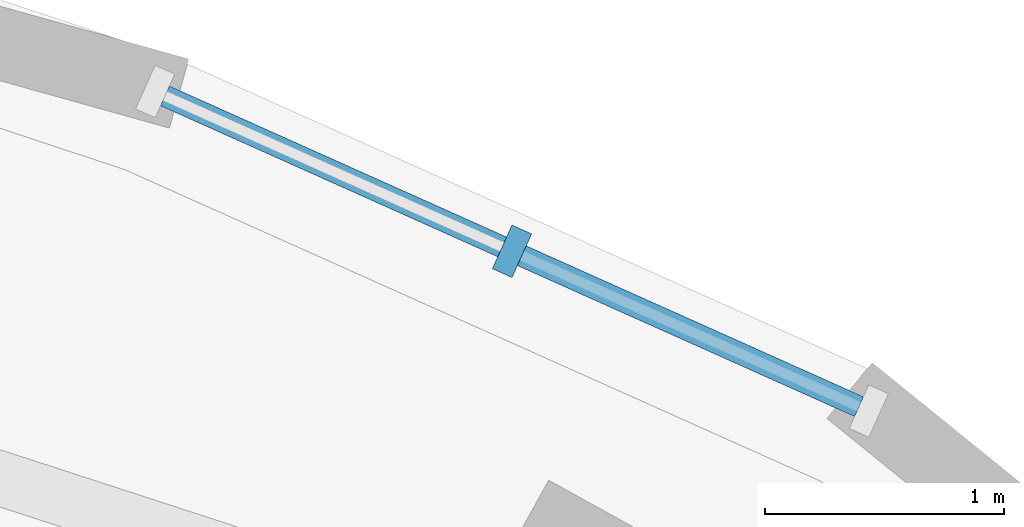
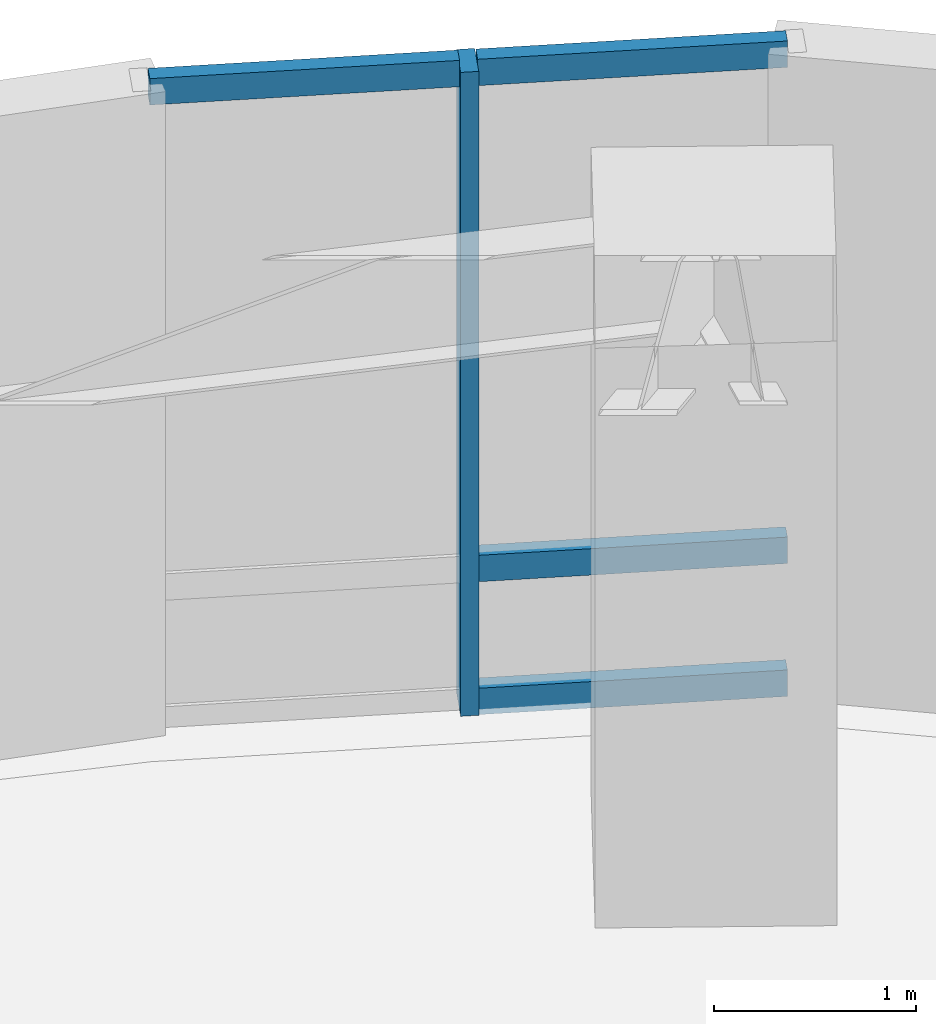
# One storey, part 6 of 14: 5 members, 1 element without a shape of its own.
"""IFC4 building model written with IfcOpenShell, lengths in metres."""

from ifc_helpers import new_model, si_unit, direction, frame, origin, origin_2d, place, context, subcontext, project, spatial, rectangle, extrude, material, layer, layer_set, material_profile, profile_set, type_object, element, aggregate, save


model = new_model("IFC4")

# Units and contexts
model_context = context("Model", 3, precision=1e-05, world=origin(), true_north=direction((0.0, 1.0)))
body_context = subcontext(model_context, "Body", "Model", "MODEL_VIEW")
ifc_project = project(units=[si_unit("LENGTHUNIT", "METRE"), si_unit("AREAUNIT", "SQUARE_METRE"), si_unit("VOLUMEUNIT", "CUBIC_METRE"), si_unit("PLANEANGLEUNIT", "RADIAN"), si_unit("MASSUNIT", "GRAM", prefix="KILO")], contexts=[model_context])

# Site, building, storey
site_placement = place(None, origin())
site = spatial("IfcSite", under=ifc_project, at=site_placement, CompositionType="ELEMENT")
building_placement = place(site_placement, origin())
building = spatial("IfcBuilding", under=site, at=building_placement, Name="Korentha Bioscience Tower", CompositionType="ELEMENT")
storey_placement = place(building_placement, frame((0.0, 0.0, 119.39990234375)))
storey = spatial("IfcBuildingStorey", under=building, at=storey_placement, Name="L27", CompositionType="ELEMENT", Elevation=119.39990234375)

# Curtain wall, members
ifc_material_1 = material(Name="Thermally Broken Aluminium Frame", Category="aluminium")
ifc_layer = layer(ifc_material_1, 0.219970703125, Name="Thermally Broken Aluminium Frame")
ifc_layer_set = layer_set([ifc_layer], Name="Thermally Broken Aluminium Frame (CW-T1)")
curtain_wall_type = type_object("IfcCurtainWallType", Name="Standard Bioscience Lab Unitised Curtain Wall CW-T1", PredefinedType="USERDEFINED", material=ifc_layer_set)
curtain_wall_placement = place(storey_placement, origin())
curtain_wall = element("IfcCurtainWall", 1, at=curtain_wall_placement, inside=storey, type_object=curtain_wall_type, Name="L27 Curtain Wall 01", ObjectType="UNITISED", PredefinedType="USERDEFINED")
ifc_material_2 = material(Name="Anodised Aluminium 6063-T6", Category="aluminium")
ifc_material_profile_1 = material_profile(ifc_material_2, rectangle(XDim=0.090087890625, YDim=0.199951171875, at=origin_2d()), Name="Anodised Aluminium 6063-T6")
ifc_profile_set_1 = profile_set([ifc_material_profile_1], Name="Anodised Aluminium 6063-T6 (CW-MUL)")
member_type_1 = type_object("IfcMemberType", Name="Mullion RECT 90x200", PredefinedType="MULLION", material=ifc_profile_set_1)
member_1_placement = place(storey_placement, frame((48.871337890625, 45.72021484375, 0.0), z_axis=(0.0, 0.0, 1.0), x_axis=(-0.912686563127, 0.408660295952, 0.0)))
member_1 = element("IfcMember", 2, at=member_1_placement, type_object=member_type_1, Name="CW-L27-01 Mullion 2", PredefinedType="MULLION", context=body_context, shape_type="SweptSolid", body=[
    extrude(rectangle(XDim=0.090087890625, YDim=0.199951171875, at=origin_2d()), origin(), (0.0, 0.0, 1.0), 3.900146484375),
])
ifc_material_profile_2 = material_profile(ifc_material_2, rectangle(XDim=0.090087890625, YDim=0.159912109375, at=origin_2d()), Name="Anodised Aluminium 6063-T6")
ifc_profile_set_2 = profile_set([ifc_material_profile_2], Name="Anodised Aluminium 6063-T6 (CW-TRN)")
member_type_2 = type_object("IfcMemberType", Name="Transom RECT 90x160", PredefinedType="USERDEFINED", material=ifc_profile_set_2)
member_2_placement = place(storey_placement, frame((50.322998046875, 45.0703125, 0.045166015625), z_axis=(-0.912753156119, 0.408511537162, 0.0), x_axis=(-0.408511537162, -0.912753156119, 0.0)))
member_2 = element("IfcMember", 3, at=member_2_placement, type_object=member_type_2, Name="CW-L27-01 Bay 1 Transom 1", ObjectType="TRANSOM", PredefinedType="USERDEFINED", context=body_context, shape_type="SweptSolid", body=[
    extrude(rectangle(XDim=0.090087890625, YDim=0.159912109375, at=origin_2d()), origin(), (0.0, 0.0, 1.0), 1.54541015625),
])
member_3_placement = place(storey_placement, frame((50.322998046875, 45.0703125, 0.85009765625), z_axis=(-0.912753156119, 0.408511537162, 0.0), x_axis=(-0.408511537162, -0.912753156119, 0.0)))
member_3 = element("IfcMember", 4, at=member_3_placement, type_object=member_type_2, Name="CW-L27-01 Bay 1 Transom 2", ObjectType="TRANSOM", PredefinedType="USERDEFINED", context=body_context, shape_type="SweptSolid", body=[
    extrude(rectangle(XDim=0.090087890625, YDim=0.159912109375, at=origin_2d()), origin(), (0.0, 0.0, 1.0), 1.54541015625),
])
member_4_placement = place(storey_placement, frame((50.322998046875, 45.0703125, 3.85498046875), z_axis=(-0.912753156119, 0.408511537162, 0.0), x_axis=(-0.408511537162, -0.912753156119, 0.0)))
member_4 = element("IfcMember", 5, at=member_4_placement, type_object=member_type_2, Name="CW-L27-01 Bay 1 Transom 3", ObjectType="TRANSOM", PredefinedType="USERDEFINED", context=body_context, shape_type="SweptSolid", body=[
    extrude(rectangle(XDim=0.090087890625, YDim=0.159912109375, at=origin_2d()), origin(), (0.0, 0.0, 1.0), 1.54541015625),
])
member_5_placement = place(storey_placement, frame((48.830322265625, 45.738525390625, 3.85498046875), z_axis=(-0.912667864607, 0.408702053962, 0.0), x_axis=(-0.408702053962, -0.912667864607, 0.0)))
member_5 = element("IfcMember", 6, at=member_5_placement, type_object=member_type_2, Name="CW-L27-01 Bay 2 Transom 3", ObjectType="TRANSOM", PredefinedType="USERDEFINED", context=body_context, shape_type="SweptSolid", body=[
    extrude(rectangle(XDim=0.090087890625, YDim=0.159912109375, at=origin_2d()), origin(), (0.0, 0.0, 1.0), 1.54541015625),
])
aggregate(curtain_wall, [member_1, member_2, member_3, member_4, member_5])

save(model, "model.ifc")
